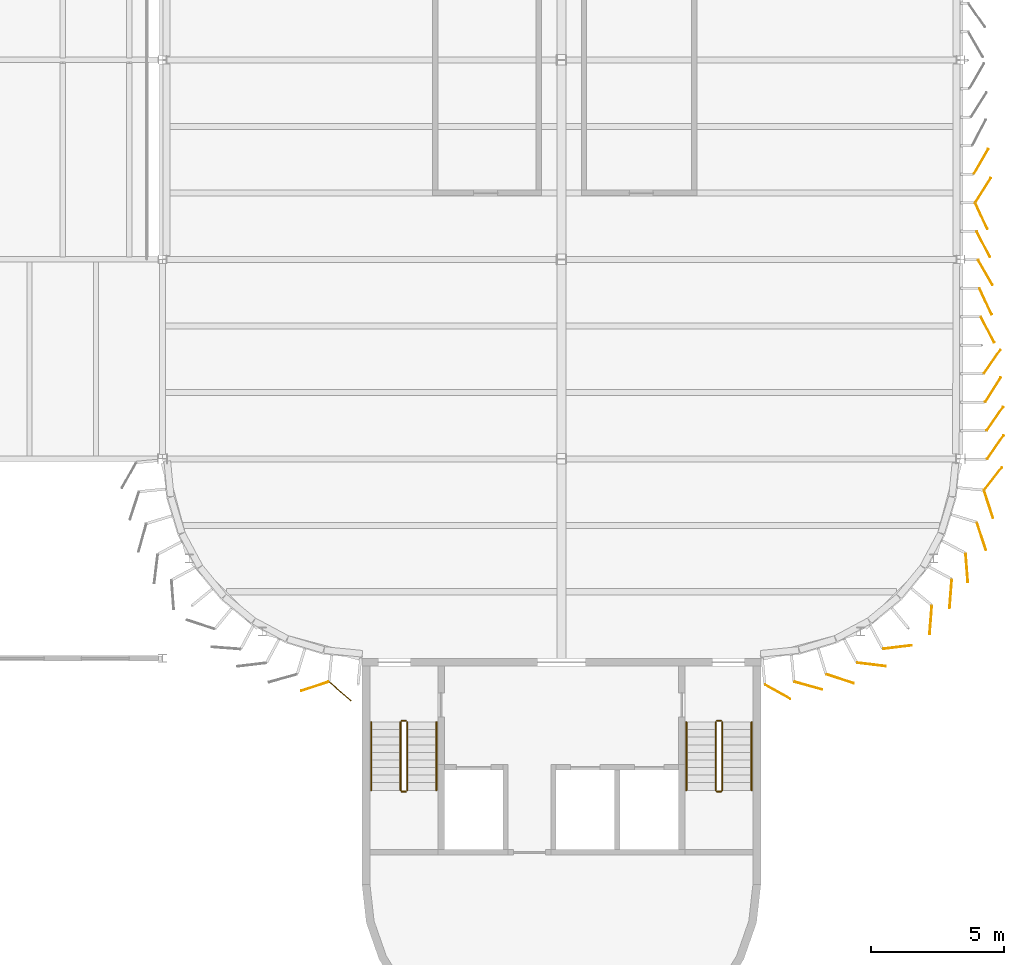
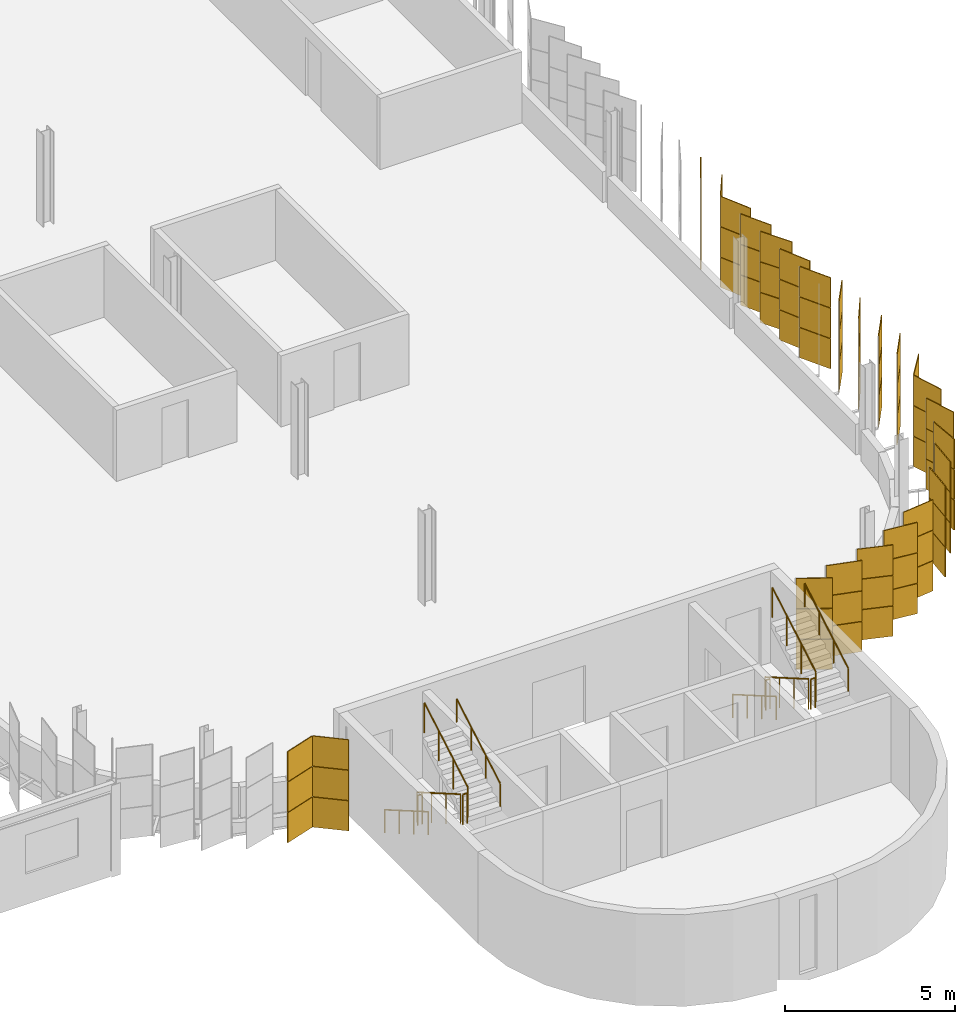
# One storey, part 204 of 214: 72 coverings, 12 railings.
"""IFC4 building model written with IfcOpenShell, lengths in metres."""

from ifc_helpers import new_model, si_unit, direction, frame, origin, origin_2d, place, context, subcontext, project, spatial, rectangle, circle, extrude, material, layer, layer_set, type_object, element, save


model = new_model("IFC4")

# Units and contexts
model_context = context("Model", 3, precision=1e-05, world=origin(), true_north=direction((0.0, 1.0)))
body_context = subcontext(model_context, "Body", "Model", "MODEL_VIEW")
ifc_project = project(units=[si_unit("LENGTHUNIT", "METRE"), si_unit("AREAUNIT", "SQUARE_METRE"), si_unit("VOLUMEUNIT", "CUBIC_METRE"), si_unit("PLANEANGLEUNIT", "RADIAN"), si_unit("MASSUNIT", "GRAM", prefix="KILO")], contexts=[model_context])

# Site, building, storey
site_placement = place(None, origin())
site = spatial("IfcSite", under=ifc_project, at=site_placement, CompositionType="ELEMENT")
building_placement = place(site_placement, origin())
building = spatial("IfcBuilding", under=site, at=building_placement, Name="Parallax Yard Mobility Hub", CompositionType="ELEMENT")
storey_placement = place(building_placement, frame((0.0, 0.0, 3.300048828125)))
storey = spatial("IfcBuildingStorey", under=building, at=storey_placement, Name="L01", CompositionType="ELEMENT", Elevation=3.300048828125)

# Coverings
ifc_material_1 = material(Name="Aluminium panel, light oak finish", Category="aluminium")
ifc_layer_1 = layer(ifc_material_1, 0.030029296875)
ifc_layer_set_1 = layer_set([ifc_layer_1], Name="Skin panel 25 degree turn, oak finish")
covering_type_1 = type_object("IfcCoveringType", Name="Skin panel 25 degree turn, oak finish", PredefinedType="CLADDING", material=ifc_layer_set_1)
for number, where, z_axis, x_axis, name in (
    (1, (225.951171875, 35.91162109375, 1.119873046875), (0.0, 0.0, 1.0), (0.422618261741, -0.906307787037, 0.0), "Skin panel 25 bay 33.6 row 2 level L01"),
    (2, (225.951171875, 35.91162109375, 2.219970703125), (0.0, 0.0, 1.0), (0.422618261741, -0.906307787037, 0.0), "Skin panel 25 bay 33.6 row 3 level L01"),
    (3, (225.79052734375, 39.126953125, 1.119873046875), (0.0, 0.0, 1.0), (0.422618261741, -0.906307787037, 0.0), "Skin panel 25 bay 34.2 row 2 level L01"),
    (4, (225.79052734375, 39.126953125, 2.219970703125), (0.0, 0.0, 1.0), (0.422618261741, -0.906307787037, 0.0), "Skin panel 25 bay 34.2 row 3 level L01"),
):
    element("IfcCovering", number, at=place(storey_placement, frame(where, z_axis=z_axis, x_axis=x_axis)), inside=storey, type_object=covering_type_1, Name=name, ObjectType="SCREEN", PredefinedType="CLADDING", context=body_context, shape_type="SweptSolid", body=[
        extrude(rectangle(XDim=1.080078125, YDim=0.030029296875, at=origin_2d()), origin(), (0.0, 0.0, 1.0), 1.080078125),
    ])
ifc_material_2 = material(Name="Aluminium panel, walnut finish", Category="aluminium")
ifc_layer_2 = layer(ifc_material_2, 0.030029296875)
ifc_layer_set_2 = layer_set([ifc_layer_2], Name="Skin panel 25 degree turn, walnut finish")
covering_type_2 = type_object("IfcCoveringType", Name="Skin panel 25 degree turn, walnut finish", PredefinedType="CLADDING", material=ifc_layer_set_2)
for number, where, z_axis, x_axis, name in (
    (5, (225.951171875, 35.91162109375, 0.02001953125), (0.0, 0.0, 1.0), (0.422618261741, -0.906307787037, 0.0), "Skin panel 25 bay 33.6 row 1 level L01"),
    (6, (225.79052734375, 39.126953125, 0.02001953125), (0.0, 0.0, 1.0), (0.422618261741, -0.906307787037, 0.0), "Skin panel 25 bay 34.2 row 1 level L01"),
):
    element("IfcCovering", number, at=place(storey_placement, frame(where, z_axis=z_axis, x_axis=x_axis)), inside=storey, type_object=covering_type_2, Name=name, ObjectType="SCREEN", PredefinedType="CLADDING", context=body_context, shape_type="SweptSolid", body=[
        extrude(rectangle(XDim=1.080078125, YDim=0.030029296875, at=origin_2d()), origin(), (0.0, 0.0, 1.0), 1.080078125),
    ])
ifc_layer_3 = layer(ifc_material_1, 0.030029296875)
ifc_layer_set_3 = layer_set([ifc_layer_3], Name="Skin panel 27.5 degree turn, oak finish")
covering_type_3 = type_object("IfcCoveringType", Name="Skin panel 27.5 degree turn, oak finish", PredefinedType="CLADDING", material=ifc_layer_set_3)
for number, where, z_axis, x_axis, name in (
    (7, (226.026611328125, 34.8505859375, 1.119873046875), (0.0, 0.0, 1.0), (0.461748613235, -0.887010833178, 0.0), "Skin panel 27.5 bay 33.5 row 2 level L01"),
    (8, (226.026611328125, 34.8505859375, 2.219970703125), (0.0, 0.0, 1.0), (0.461748613235, -0.887010833178, 0.0), "Skin panel 27.5 bay 33.5 row 3 level L01"),
    (9, (225.86572265625, 38.06591796875, 1.119873046875), (0.0, 0.0, 1.0), (0.461748613235, -0.887010833178, 0.0), "Skin panel 27.5 bay 34.1 row 2 level L01"),
    (10, (225.86572265625, 38.06591796875, 2.219970703125), (0.0, 0.0, 1.0), (0.461748613235, -0.887010833178, 0.0), "Skin panel 27.5 bay 34.1 row 3 level L01"),
):
    element("IfcCovering", number, at=place(storey_placement, frame(where, z_axis=z_axis, x_axis=x_axis)), inside=storey, type_object=covering_type_3, Name=name, ObjectType="SCREEN", PredefinedType="CLADDING", context=body_context, shape_type="SweptSolid", body=[
        extrude(rectangle(XDim=1.080078125, YDim=0.030029296875, at=origin_2d()), origin(), (0.0, 0.0, 1.0), 1.080078125),
    ])
ifc_layer_4 = layer(ifc_material_2, 0.030029296875)
ifc_layer_set_4 = layer_set([ifc_layer_4], Name="Skin panel 27.5 degree turn, walnut finish")
covering_type_4 = type_object("IfcCoveringType", Name="Skin panel 27.5 degree turn, walnut finish", PredefinedType="CLADDING", material=ifc_layer_set_4)
for number, where, z_axis, x_axis, name in (
    (11, (226.026611328125, 34.8505859375, 0.02001953125), (0.0, 0.0, 1.0), (0.461748613235, -0.887010833178, 0.0), "Skin panel 27.5 bay 33.5 row 1 level L01"),
    (12, (225.86572265625, 38.06591796875, 0.02001953125), (0.0, 0.0, 1.0), (0.461748613235, -0.887010833178, 0.0), "Skin panel 27.5 bay 34.1 row 1 level L01"),
):
    element("IfcCovering", number, at=place(storey_placement, frame(where, z_axis=z_axis, x_axis=x_axis)), inside=storey, type_object=covering_type_4, Name=name, ObjectType="SCREEN", PredefinedType="CLADDING", context=body_context, shape_type="SweptSolid", body=[
        extrude(rectangle(XDim=1.080078125, YDim=0.030029296875, at=origin_2d()), origin(), (0.0, 0.0, 1.0), 1.080078125),
    ])
ifc_layer_5 = layer(ifc_material_1, 0.030029296875)
ifc_layer_set_5 = layer_set([ifc_layer_5], Name="Skin panel 30 degree turn, oak finish")
covering_type_5 = type_object("IfcCoveringType", Name="Skin panel 30 degree turn, oak finish", PredefinedType="CLADDING", material=ifc_layer_set_5)
for number, where, z_axis, x_axis, name in (
    (13, (225.940673828125, 37.005859375, 1.119873046875), (0.0, 0.0, 1.0), (0.5, -0.866025403784, 0.0), "Skin panel 30 bay 33.7 row 2 level L01"),
    (14, (225.940673828125, 37.005859375, 2.219970703125), (0.0, 0.0, 1.0), (0.5, -0.866025403784, 0.0), "Skin panel 30 bay 33.7 row 3 level L01"),
    (15, (225.77978515625, 41.184814453125, 1.119873046875), (0.0, 0.0, 1.0), (0.5, 0.866025403784, 0.0), "Skin panel 30 bay 34.4 row 2 level L01"),
    (16, (225.77978515625, 41.184814453125, 2.219970703125), (0.0, 0.0, 1.0), (0.5, 0.866025403784, 0.0), "Skin panel 30 bay 34.4 row 3 level L01"),
):
    element("IfcCovering", number, at=place(storey_placement, frame(where, z_axis=z_axis, x_axis=x_axis)), inside=storey, type_object=covering_type_5, Name=name, ObjectType="SCREEN", PredefinedType="CLADDING", context=body_context, shape_type="SweptSolid", body=[
        extrude(rectangle(XDim=1.080078125, YDim=0.030029296875, at=origin_2d()), origin(), (0.0, 0.0, 1.0), 1.080078125),
    ])
ifc_layer_6 = layer(ifc_material_2, 0.030029296875)
ifc_layer_set_6 = layer_set([ifc_layer_6], Name="Skin panel 30 degree turn, walnut finish")
covering_type_6 = type_object("IfcCoveringType", Name="Skin panel 30 degree turn, walnut finish", PredefinedType="CLADDING", material=ifc_layer_set_6)
for number, where, z_axis, x_axis, name in (
    (17, (225.940673828125, 37.005859375, 0.02001953125), (0.0, 0.0, 1.0), (0.5, -0.866025403784, 0.0), "Skin panel 30 bay 33.7 row 1 level L01"),
    (18, (225.77978515625, 41.184814453125, 0.02001953125), (0.0, 0.0, 1.0), (0.5, 0.866025403784, 0.0), "Skin panel 30 bay 34.4 row 1 level L01"),
):
    element("IfcCovering", number, at=place(storey_placement, frame(where, z_axis=z_axis, x_axis=x_axis)), inside=storey, type_object=covering_type_6, Name=name, ObjectType="SCREEN", PredefinedType="CLADDING", context=body_context, shape_type="SweptSolid", body=[
        extrude(rectangle(XDim=1.080078125, YDim=0.030029296875, at=origin_2d()), origin(), (0.0, 0.0, 1.0), 1.080078125),
    ])
ifc_layer_7 = layer(ifc_material_1, 0.030029296875)
ifc_layer_set_7 = layer_set([ifc_layer_7], Name="Skin panel 32.5 degree turn, oak finish")
covering_type_7 = type_object("IfcCoveringType", Name="Skin panel 32.5 degree turn, oak finish", PredefinedType="CLADDING", material=ifc_layer_set_7)
for number, where, z_axis, x_axis, name in (
    (19, (219.28271484375, 21.468017578125, 1.119873046875), (0.0, 0.0, 1.0), (0.963045136708, -0.269340053953, 0.0), "Skin panel 32.5 bay 32.2 row 2 level L01"),
    (20, (219.28271484375, 21.468017578125, 2.219970703125), (0.0, 0.0, 1.0), (0.963045136708, -0.269340053953, 0.0), "Skin panel 32.5 bay 32.2 row 3 level L01"),
    (21, (222.634521484375, 22.918701171875, 1.119873046875), (0.0, 0.0, 1.0), (0.992809667009, 0.119703655305, 0.0), "Skin panel 32.5 bay 32.5 row 2 level L01"),
    (22, (222.634521484375, 22.918701171875, 2.219970703125), (0.0, 0.0, 1.0), (0.992809667009, 0.119703655305, 0.0), "Skin panel 32.5 bay 32.5 row 3 level L01"),
    (23, (225.24169921875, 25.89453125, 1.119873046875), (0.0, 0.0, 1.0), (0.076283974504, -0.997086132304, 0.0), "Skin panel 32.5 bay 32.8 row 2 level L01"),
    (24, (225.24169921875, 25.89453125, 2.219970703125), (0.0, 0.0, 1.0), (0.076283974504, -0.997086132304, 0.0), "Skin panel 32.5 bay 32.8 row 3 level L01"),
    (25, (226.23193359375, 29.25634765625, 1.119873046875), (0.0, 0.0, 1.0), (0.617379181571, 0.786665714369, 0.0), "Skin panel 32.5 bay 32.11 row 2 level L01"),
    (26, (226.23193359375, 29.25634765625, 2.219970703125), (0.0, 0.0, 1.0), (0.617379181571, 0.786665714369, 0.0), "Skin panel 32.5 bay 32.11 row 3 level L01"),
    (27, (226.229248046875, 32.59814453125, 1.119873046875), (0.0, 0.0, 1.0), (0.537299608347, 0.843391445813, 0.0), "Skin panel 32.5 bay 33.3 row 2 level L01"),
    (28, (226.229248046875, 32.59814453125, 2.219970703125), (0.0, 0.0, 1.0), (0.537299608347, 0.843391445813, 0.0), "Skin panel 32.5 bay 33.3 row 3 level L01"),
    (29, (225.854248046875, 40.100341796875, 1.119873046875), (0.0, 0.0, 1.0), (0.537299608347, 0.843391445813, 0.0), "Skin panel 32.5 bay 34.3 row 2 level L01"),
    (30, (225.854248046875, 40.100341796875, 2.219970703125), (0.0, 0.0, 1.0), (0.537299608347, 0.843391445813, 0.0), "Skin panel 32.5 bay 34.3 row 3 level L01"),
):
    element("IfcCovering", number, at=place(storey_placement, frame(where, z_axis=z_axis, x_axis=x_axis)), inside=storey, type_object=covering_type_7, Name=name, ObjectType="SCREEN", PredefinedType="CLADDING", context=body_context, shape_type="SweptSolid", body=[
        extrude(rectangle(XDim=1.080078125, YDim=0.030029296875, at=origin_2d()), origin(), (0.0, 0.0, 1.0), 1.080078125),
    ])
ifc_layer_8 = layer(ifc_material_2, 0.030029296875)
ifc_layer_set_8 = layer_set([ifc_layer_8], Name="Skin panel 32.5 degree turn, walnut finish")
covering_type_8 = type_object("IfcCoveringType", Name="Skin panel 32.5 degree turn, walnut finish", PredefinedType="CLADDING", material=ifc_layer_set_8)
for number, where, z_axis, x_axis, name in (
    (31, (219.28271484375, 21.468017578125, 0.02001953125), (0.0, 0.0, 1.0), (0.963045136708, -0.269340053953, 0.0), "Skin panel 32.5 bay 32.2 row 1 level L01"),
    (32, (222.634521484375, 22.918701171875, 0.02001953125), (0.0, 0.0, 1.0), (0.992809667009, 0.119703655305, 0.0), "Skin panel 32.5 bay 32.5 row 1 level L01"),
    (33, (225.24169921875, 25.89453125, 0.02001953125), (0.0, 0.0, 1.0), (0.076283974504, -0.997086132304, 0.0), "Skin panel 32.5 bay 32.8 row 1 level L01"),
    (34, (226.23193359375, 29.25634765625, 0.02001953125), (0.0, 0.0, 1.0), (0.617379181571, 0.786665714369, 0.0), "Skin panel 32.5 bay 32.11 row 1 level L01"),
    (35, (226.229248046875, 32.59814453125, 0.02001953125), (0.0, 0.0, 1.0), (0.537299608347, 0.843391445813, 0.0), "Skin panel 32.5 bay 33.3 row 1 level L01"),
    (36, (225.854248046875, 40.100341796875, 0.02001953125), (0.0, 0.0, 1.0), (0.537299608347, 0.843391445813, 0.0), "Skin panel 32.5 bay 34.3 row 1 level L01"),
):
    element("IfcCovering", number, at=place(storey_placement, frame(where, z_axis=z_axis, x_axis=x_axis)), inside=storey, type_object=covering_type_8, Name=name, ObjectType="SCREEN", PredefinedType="CLADDING", context=body_context, shape_type="SweptSolid", body=[
        extrude(rectangle(XDim=1.080078125, YDim=0.030029296875, at=origin_2d()), origin(), (0.0, 0.0, 1.0), 1.080078125),
    ])
ifc_layer_9 = layer(ifc_material_1, 0.030029296875)
ifc_layer_set_9 = layer_set([ifc_layer_9], Name="Skin panel 35 degree turn, oak finish")
covering_type_9 = type_object("IfcCoveringType", Name="Skin panel 35 degree turn, oak finish", PredefinedType="CLADDING", material=ifc_layer_set_9)
for number, where, z_axis, x_axis, name in (
    (37, (200.73046875, 21.4443359375, 1.119873046875), (0.0, 0.0, 1.0), (-0.950380082985, -0.311091140771, 0.0), "Skin panel 35 bay 30.10 row 2 level L01"),
    (38, (200.73046875, 21.4443359375, 2.219970703125), (0.0, 0.0, 1.0), (-0.950380082985, -0.311091140771, 0.0), "Skin panel 35 bay 30.10 row 3 level L01"),
    (39, (201.681396484375, 21.255126953125, 1.119873046875), (0.0, 0.0, 1.0), (0.758987281247, -0.651105449912, 0.0), "Skin panel 35 bay 30.11 row 2 level L01"),
    (40, (201.681396484375, 21.255126953125, 2.219970703125), (0.0, 0.0, 1.0), (0.758987281247, -0.651105449912, 0.0), "Skin panel 35 bay 30.11 row 3 level L01"),
    (41, (218.13330078125, 21.23681640625, 1.119873046875), (0.0, 0.0, 1.0), (0.87142792535, -0.490523568159, 0.0), "Skin panel 35 bay 32.1 row 2 level L01"),
    (42, (218.13330078125, 21.23681640625, 2.219970703125), (0.0, 0.0, 1.0), (0.87142792535, -0.490523568159, 0.0), "Skin panel 35 bay 32.1 row 3 level L01"),
    (43, (220.4794921875, 21.7255859375, 1.119873046875), (0.0, 0.0, 1.0), (0.950380082985, -0.311091140771, 0.0), "Skin panel 35 bay 32.3 row 2 level L01"),
    (44, (220.4794921875, 21.7255859375, 2.219970703125), (0.0, 0.0, 1.0), (0.950380082985, -0.311091140771, 0.0), "Skin panel 35 bay 32.3 row 3 level L01"),
    (45, (221.6611328125, 22.26513671875, 1.119873046875), (0.0, 0.0, 1.0), (0.992809667009, -0.119703655305, 0.0), "Skin panel 35 bay 32.4 row 2 level L01"),
    (46, (221.6611328125, 22.26513671875, 2.219970703125), (0.0, 0.0, 1.0), (0.992809667009, -0.119703655305, 0.0), "Skin panel 35 bay 32.4 row 3 level L01"),
    (47, (223.885986328125, 23.936767578125, 1.119873046875), (0.0, 0.0, 1.0), (-0.076283974504, -0.997086132304, 0.0), "Skin panel 35 bay 32.6 row 2 level L01"),
    (48, (223.885986328125, 23.936767578125, 2.219970703125), (0.0, 0.0, 1.0), (-0.076283974504, -0.997086132304, 0.0), "Skin panel 35 bay 32.6 row 3 level L01"),
    (49, (224.636474609375, 24.92138671875, 1.119873046875), (0.0, 0.0, 1.0), (-0.076283974504, -0.997086132304, 0.0), "Skin panel 35 bay 32.7 row 2 level L01"),
    (50, (224.636474609375, 24.92138671875, 2.219970703125), (0.0, 0.0, 1.0), (-0.076283974504, -0.997086132304, 0.0), "Skin panel 35 bay 32.7 row 3 level L01"),
    (51, (225.79345703125, 27.08349609375, 1.119873046875), (0.0, 0.0, 1.0), (0.311091140771, -0.950380082985, 0.0), "Skin panel 35 bay 32.9 row 2 level L01"),
    (52, (225.79345703125, 27.08349609375, 2.219970703125), (0.0, 0.0, 1.0), (0.311091140771, -0.950380082985, 0.0), "Skin panel 35 bay 32.9 row 3 level L01"),
    (53, (226.0615234375, 28.289794921875, 1.119873046875), (0.0, 0.0, 1.0), (0.311091140771, -0.950380082985, 0.0), "Skin panel 35 bay 32.10 row 2 level L01"),
    (54, (226.0615234375, 28.289794921875, 2.219970703125), (0.0, 0.0, 1.0), (0.311091140771, -0.950380082985, 0.0), "Skin panel 35 bay 32.10 row 3 level L01"),
    (55, (226.319091796875, 30.44140625, 1.119873046875), (0.0, 0.0, 1.0), (0.573576436351, 0.819152044289, 0.0), "Skin panel 35 bay 33.1 row 2 level L01"),
    (56, (226.319091796875, 30.44140625, 2.219970703125), (0.0, 0.0, 1.0), (0.573576436351, 0.819152044289, 0.0), "Skin panel 35 bay 33.1 row 3 level L01"),
    (57, (226.302978515625, 31.512939453125, 1.119873046875), (0.0, 0.0, 1.0), (0.573576436351, 0.819152044289, 0.0), "Skin panel 35 bay 33.2 row 2 level L01"),
    (58, (226.302978515625, 31.512939453125, 2.219970703125), (0.0, 0.0, 1.0), (0.573576436351, 0.819152044289, 0.0), "Skin panel 35 bay 33.2 row 3 level L01"),
    (59, (226.19580078125, 33.656494140625, 1.119873046875), (0.0, 0.0, 1.0), (0.573576436351, 0.819152044289, 0.0), "Skin panel 35 bay 33.4 row 2 level L01"),
    (60, (226.19580078125, 33.656494140625, 2.219970703125), (0.0, 0.0, 1.0), (0.573576436351, 0.819152044289, 0.0), "Skin panel 35 bay 33.4 row 3 level L01"),
):
    element("IfcCovering", number, at=place(storey_placement, frame(where, z_axis=z_axis, x_axis=x_axis)), inside=storey, type_object=covering_type_9, Name=name, ObjectType="SCREEN", PredefinedType="CLADDING", context=body_context, shape_type="SweptSolid", body=[
        extrude(rectangle(XDim=1.080078125, YDim=0.030029296875, at=origin_2d()), origin(), (0.0, 0.0, 1.0), 1.080078125),
    ])
ifc_layer_10 = layer(ifc_material_2, 0.030029296875)
ifc_layer_set_10 = layer_set([ifc_layer_10], Name="Skin panel 35 degree turn, walnut finish")
covering_type_10 = type_object("IfcCoveringType", Name="Skin panel 35 degree turn, walnut finish", PredefinedType="CLADDING", material=ifc_layer_set_10)
for number, where, z_axis, x_axis, name in (
    (61, (200.73046875, 21.4443359375, 0.02001953125), (0.0, 0.0, 1.0), (-0.950380082985, -0.311091140771, 0.0), "Skin panel 35 bay 30.10 row 1 level L01"),
    (62, (201.681396484375, 21.255126953125, 0.02001953125), (0.0, 0.0, 1.0), (0.758987281247, -0.651105449912, 0.0), "Skin panel 35 bay 30.11 row 1 level L01"),
    (63, (218.13330078125, 21.23681640625, 0.02001953125), (0.0, 0.0, 1.0), (0.87142792535, -0.490523568159, 0.0), "Skin panel 35 bay 32.1 row 1 level L01"),
    (64, (220.4794921875, 21.7255859375, 0.02001953125), (0.0, 0.0, 1.0), (0.950380082985, -0.311091140771, 0.0), "Skin panel 35 bay 32.3 row 1 level L01"),
    (65, (221.6611328125, 22.26513671875, 0.02001953125), (0.0, 0.0, 1.0), (0.992809667009, -0.119703655305, 0.0), "Skin panel 35 bay 32.4 row 1 level L01"),
    (66, (223.885986328125, 23.936767578125, 0.02001953125), (0.0, 0.0, 1.0), (-0.076283974504, -0.997086132304, 0.0), "Skin panel 35 bay 32.6 row 1 level L01"),
    (67, (224.636474609375, 24.92138671875, 0.02001953125), (0.0, 0.0, 1.0), (-0.076283974504, -0.997086132304, 0.0), "Skin panel 35 bay 32.7 row 1 level L01"),
    (68, (225.79345703125, 27.08349609375, 0.02001953125), (0.0, 0.0, 1.0), (0.311091140771, -0.950380082985, 0.0), "Skin panel 35 bay 32.9 row 1 level L01"),
    (69, (226.0615234375, 28.289794921875, 0.02001953125), (0.0, 0.0, 1.0), (0.311091140771, -0.950380082985, 0.0), "Skin panel 35 bay 32.10 row 1 level L01"),
    (70, (226.319091796875, 30.44140625, 0.02001953125), (0.0, 0.0, 1.0), (0.573576436351, 0.819152044289, 0.0), "Skin panel 35 bay 33.1 row 1 level L01"),
    (71, (226.302978515625, 31.512939453125, 0.02001953125), (0.0, 0.0, 1.0), (0.573576436351, 0.819152044289, 0.0), "Skin panel 35 bay 33.2 row 1 level L01"),
    (72, (226.19580078125, 33.656494140625, 0.02001953125), (0.0, 0.0, 1.0), (0.573576436351, 0.819152044289, 0.0), "Skin panel 35 bay 33.4 row 1 level L01"),
):
    element("IfcCovering", number, at=place(storey_placement, frame(where, z_axis=z_axis, x_axis=x_axis)), inside=storey, type_object=covering_type_10, Name=name, ObjectType="SCREEN", PredefinedType="CLADDING", context=body_context, shape_type="SweptSolid", body=[
        extrude(rectangle(XDim=1.080078125, YDim=0.030029296875, at=origin_2d()), origin(), (0.0, 0.0, 1.0), 1.080078125),
    ])

# Railings
ifc_material_3 = material(Name="Steel ASTM A36", Category="steel")
railing_type_1 = type_object("IfcRailingType", Name="Stair guard 1100", PredefinedType="GUARDRAIL", material=ifc_material_3)
railing_1_placement = place(storey_placement, frame((215.800048828125, 20.10009765625, 0.1650390625)))
element("IfcRailing", 73, at=railing_1_placement, inside=storey, type_object=railing_type_1, Name="L01 ST9 stair guard 1", PredefinedType="GUARDRAIL", context=body_context, shape_type="SweptSolid", body=[
    extrude(circle(Radius=0.02392578125, at=origin_2d()), frame((0.0, 0.0, 1.076171875), z_axis=(0.0, -0.865461999751, 0.500974577186), x_axis=(1.0, 0.0, 0.0)), (0.0, 0.0, 1.0), 2.9638671875),
    extrude(circle(Radius=0.02099609375, at=origin_2d()), origin(), (0.0, 0.0, 1.0), 1.052001953125),
    extrude(circle(Radius=0.02099609375, at=origin_2d()), frame((0.0, -0.85498046875, 0.494873046875)), (0.0, 0.0, 1.0), 1.052001953125),
    extrude(circle(Radius=0.02099609375, at=origin_2d()), frame((0.0, -1.710205078125, 0.989990234375)), (0.0, 0.0, 1.0), 1.052001953125),
    extrude(circle(Radius=0.02099609375, at=origin_2d()), frame((0.0, -2.565185546875, 1.48486328125)), (0.0, 0.0, 1.0), 1.052001953125),
])
railing_2_placement = place(storey_placement, frame((215.85009765625, 17.485107421875, 1.64990234375)))
element("IfcRailing", 74, at=railing_2_placement, inside=storey, type_object=railing_type_1, Name="L01 ST9 stair guard 2", PredefinedType="GUARDRAIL", context=body_context, shape_type="SweptSolid", body=[
    extrude(circle(Radius=0.02392578125, at=origin_2d()), frame((0.0, 0.0, 1.076171875), z_axis=(1.0, 0.0, 0.0), x_axis=(0.0, 1.0, 0.0)), (0.0, 0.0, 1.0), 0.14990234375),
    extrude(circle(Radius=0.02099609375, at=origin_2d()), origin(), (0.0, 0.0, 1.0), 1.052001953125),
    extrude(circle(Radius=0.02099609375, at=origin_2d()), frame((0.14990234375, 0.0, 0.0)), (0.0, 0.0, 1.0), 1.052001953125),
])
railing_3_placement = place(storey_placement, frame((216.050048828125, 17.534912109375, 1.81494140625)))
element("IfcRailing", 75, at=railing_3_placement, inside=storey, type_object=railing_type_1, Name="L01 ST9 stair guard 3", PredefinedType="GUARDRAIL", context=body_context, shape_type="SweptSolid", body=[
    extrude(circle(Radius=0.02392578125, at=origin_2d()), frame((0.0, 0.0, 1.076171875), z_axis=(0.0, 0.865426285481, 0.501036270542), x_axis=(-1.0, 0.0, 0.0)), (0.0, 0.0, 1.0), 2.964111328125),
    extrude(circle(Radius=0.02099609375, at=origin_2d()), origin(), (0.0, 0.0, 1.0), 1.052001953125),
    extrude(circle(Radius=0.02099609375, at=origin_2d()), frame((0.0, 0.85498046875, 0.4951171875)), (0.0, 0.0, 1.0), 1.052001953125),
    extrude(circle(Radius=0.02099609375, at=origin_2d()), frame((0.0, 1.710205078125, 0.989990234375)), (0.0, 0.0, 1.0), 1.052001953125),
    extrude(circle(Radius=0.02099609375, at=origin_2d()), frame((0.0, 2.565185546875, 1.485107421875)), (0.0, 0.0, 1.0), 1.052001953125),
])
railing_4_placement = place(storey_placement, frame((215.85009765625, 20.14990234375, 0.0)))
element("IfcRailing", 76, at=railing_4_placement, inside=storey, type_object=railing_type_1, Name="L01 ST9 stair guard 4", PredefinedType="GUARDRAIL", context=body_context, shape_type="SweptSolid", body=[
    extrude(circle(Radius=0.02392578125, at=origin_2d()), frame((0.0, 0.0, 1.076171875), z_axis=(1.0, 0.0, 0.0), x_axis=(0.0, 1.0, 0.0)), (0.0, 0.0, 1.0), 0.14990234375),
    extrude(circle(Radius=0.02099609375, at=origin_2d()), origin(), (0.0, 0.0, 1.0), 1.052001953125),
    extrude(circle(Radius=0.02099609375, at=origin_2d()), frame((0.14990234375, 0.0, 0.0)), (0.0, 0.0, 1.0), 1.052001953125),
])
railing_5_placement = place(storey_placement, frame((203.949951171875, 20.10009765625, 0.1650390625)))
element("IfcRailing", 77, at=railing_5_placement, inside=storey, type_object=railing_type_1, Name="L01 ST10 stair guard 1", PredefinedType="GUARDRAIL", context=body_context, shape_type="SweptSolid", body=[
    extrude(circle(Radius=0.02392578125, at=origin_2d()), frame((0.0, 0.0, 1.076171875), z_axis=(0.0, -0.865461999751, 0.500974577186), x_axis=(1.0, 0.0, 0.0)), (0.0, 0.0, 1.0), 2.9638671875),
    extrude(circle(Radius=0.02099609375, at=origin_2d()), origin(), (0.0, 0.0, 1.0), 1.052001953125),
    extrude(circle(Radius=0.02099609375, at=origin_2d()), frame((0.0, -0.85498046875, 0.494873046875)), (0.0, 0.0, 1.0), 1.052001953125),
    extrude(circle(Radius=0.02099609375, at=origin_2d()), frame((0.0, -1.710205078125, 0.989990234375)), (0.0, 0.0, 1.0), 1.052001953125),
    extrude(circle(Radius=0.02099609375, at=origin_2d()), frame((0.0, -2.565185546875, 1.48486328125)), (0.0, 0.0, 1.0), 1.052001953125),
])
railing_6_placement = place(storey_placement, frame((204.0, 17.485107421875, 1.64990234375)))
element("IfcRailing", 78, at=railing_6_placement, inside=storey, type_object=railing_type_1, Name="L01 ST10 stair guard 2", PredefinedType="GUARDRAIL", context=body_context, shape_type="SweptSolid", body=[
    extrude(circle(Radius=0.02392578125, at=origin_2d()), frame((0.0, 0.0, 1.076171875), z_axis=(1.0, 0.0, 0.0), x_axis=(0.0, 1.0, 0.0)), (0.0, 0.0, 1.0), 0.14990234375),
    extrude(circle(Radius=0.02099609375, at=origin_2d()), origin(), (0.0, 0.0, 1.0), 1.052001953125),
    extrude(circle(Radius=0.02099609375, at=origin_2d()), frame((0.14990234375, 0.0, 0.0)), (0.0, 0.0, 1.0), 1.052001953125),
])
railing_7_placement = place(storey_placement, frame((204.199951171875, 17.534912109375, 1.81494140625)))
element("IfcRailing", 79, at=railing_7_placement, inside=storey, type_object=railing_type_1, Name="L01 ST10 stair guard 3", PredefinedType="GUARDRAIL", context=body_context, shape_type="SweptSolid", body=[
    extrude(circle(Radius=0.02392578125, at=origin_2d()), frame((0.0, 0.0, 1.076171875), z_axis=(0.0, 0.865426285481, 0.501036270542), x_axis=(-1.0, 0.0, 0.0)), (0.0, 0.0, 1.0), 2.964111328125),
    extrude(circle(Radius=0.02099609375, at=origin_2d()), origin(), (0.0, 0.0, 1.0), 1.052001953125),
    extrude(circle(Radius=0.02099609375, at=origin_2d()), frame((0.0, 0.85498046875, 0.4951171875)), (0.0, 0.0, 1.0), 1.052001953125),
    extrude(circle(Radius=0.02099609375, at=origin_2d()), frame((0.0, 1.710205078125, 0.989990234375)), (0.0, 0.0, 1.0), 1.052001953125),
    extrude(circle(Radius=0.02099609375, at=origin_2d()), frame((0.0, 2.565185546875, 1.485107421875)), (0.0, 0.0, 1.0), 1.052001953125),
])
railing_8_placement = place(storey_placement, frame((204.0, 20.14990234375, 0.0)))
element("IfcRailing", 80, at=railing_8_placement, inside=storey, type_object=railing_type_1, Name="L01 ST10 stair guard 4", PredefinedType="GUARDRAIL", context=body_context, shape_type="SweptSolid", body=[
    extrude(circle(Radius=0.02392578125, at=origin_2d()), frame((0.0, 0.0, 1.076171875), z_axis=(1.0, 0.0, 0.0), x_axis=(0.0, 1.0, 0.0)), (0.0, 0.0, 1.0), 0.14990234375),
    extrude(circle(Radius=0.02099609375, at=origin_2d()), origin(), (0.0, 0.0, 1.0), 1.052001953125),
    extrude(circle(Radius=0.02099609375, at=origin_2d()), frame((0.14990234375, 0.0, 0.0)), (0.0, 0.0, 1.0), 1.052001953125),
])
railing_type_2 = type_object("IfcRailingType", Name="Stair handrail", PredefinedType="HANDRAIL", material=ifc_material_3)
railing_9_placement = place(storey_placement, frame((214.699951171875, 20.10009765625, 0.1650390625)))
element("IfcRailing", 81, at=railing_9_placement, inside=storey, type_object=railing_type_2, Name="L01 ST9 stair handrail 1", PredefinedType="HANDRAIL", context=body_context, shape_type="SweptSolid", body=[
    extrude(circle(Radius=0.02392578125, at=origin_2d()), frame((0.0, 0.0, 0.8310546875), z_axis=(0.0, -0.865461999751, 0.500974577186), x_axis=(1.0, 0.0, 0.0)), (0.0, 0.0, 1.0), 2.9638671875),
    extrude(circle(Radius=0.02099609375, at=origin_2d()), origin(), (0.0, 0.0, 1.0), 0.806884765625),
    extrude(circle(Radius=0.02099609375, at=origin_2d()), frame((0.0, -0.85498046875, 0.494873046875)), (0.0, 0.0, 1.0), 0.806884765625),
    extrude(circle(Radius=0.02099609375, at=origin_2d()), frame((0.0, -1.710205078125, 0.989990234375)), (0.0, 0.0, 1.0), 0.806884765625),
    extrude(circle(Radius=0.02099609375, at=origin_2d()), frame((0.0, -2.565185546875, 1.48486328125)), (0.0, 0.0, 1.0), 0.806884765625),
])
railing_10_placement = place(storey_placement, frame((217.14990234375, 17.534912109375, 1.81494140625)))
element("IfcRailing", 82, at=railing_10_placement, inside=storey, type_object=railing_type_2, Name="L01 ST9 stair handrail 2", PredefinedType="HANDRAIL", context=body_context, shape_type="SweptSolid", body=[
    extrude(circle(Radius=0.02392578125, at=origin_2d()), frame((0.0, 0.0, 0.8310546875), z_axis=(0.0, 0.865426285481, 0.501036270542), x_axis=(-1.0, 0.0, 0.0)), (0.0, 0.0, 1.0), 2.964111328125),
    extrude(circle(Radius=0.02099609375, at=origin_2d()), origin(), (0.0, 0.0, 1.0), 0.806884765625),
    extrude(circle(Radius=0.02099609375, at=origin_2d()), frame((0.0, 0.85498046875, 0.4951171875)), (0.0, 0.0, 1.0), 0.806884765625),
    extrude(circle(Radius=0.02099609375, at=origin_2d()), frame((0.0, 1.710205078125, 0.989990234375)), (0.0, 0.0, 1.0), 0.806884765625),
    extrude(circle(Radius=0.02099609375, at=origin_2d()), frame((0.0, 2.565185546875, 1.485107421875)), (0.0, 0.0, 1.0), 0.806884765625),
])
railing_11_placement = place(storey_placement, frame((202.85009765625, 20.10009765625, 0.1650390625)))
element("IfcRailing", 83, at=railing_11_placement, inside=storey, type_object=railing_type_2, Name="L01 ST10 stair handrail 1", PredefinedType="HANDRAIL", context=body_context, shape_type="SweptSolid", body=[
    extrude(circle(Radius=0.02392578125, at=origin_2d()), frame((0.0, 0.0, 0.8310546875), z_axis=(0.0, -0.865461999751, 0.500974577186), x_axis=(1.0, 0.0, 0.0)), (0.0, 0.0, 1.0), 2.9638671875),
    extrude(circle(Radius=0.02099609375, at=origin_2d()), origin(), (0.0, 0.0, 1.0), 0.806884765625),
    extrude(circle(Radius=0.02099609375, at=origin_2d()), frame((0.0, -0.85498046875, 0.494873046875)), (0.0, 0.0, 1.0), 0.806884765625),
    extrude(circle(Radius=0.02099609375, at=origin_2d()), frame((0.0, -1.710205078125, 0.989990234375)), (0.0, 0.0, 1.0), 0.806884765625),
    extrude(circle(Radius=0.02099609375, at=origin_2d()), frame((0.0, -2.565185546875, 1.48486328125)), (0.0, 0.0, 1.0), 0.806884765625),
])
railing_12_placement = place(storey_placement, frame((205.300048828125, 17.534912109375, 1.81494140625)))
element("IfcRailing", 84, at=railing_12_placement, inside=storey, type_object=railing_type_2, Name="L01 ST10 stair handrail 2", PredefinedType="HANDRAIL", context=body_context, shape_type="SweptSolid", body=[
    extrude(circle(Radius=0.02392578125, at=origin_2d()), frame((0.0, 0.0, 0.8310546875), z_axis=(0.0, 0.865426285481, 0.501036270542), x_axis=(-1.0, 0.0, 0.0)), (0.0, 0.0, 1.0), 2.964111328125),
    extrude(circle(Radius=0.02099609375, at=origin_2d()), origin(), (0.0, 0.0, 1.0), 0.806884765625),
    extrude(circle(Radius=0.02099609375, at=origin_2d()), frame((0.0, 0.85498046875, 0.4951171875)), (0.0, 0.0, 1.0), 0.806884765625),
    extrude(circle(Radius=0.02099609375, at=origin_2d()), frame((0.0, 1.710205078125, 0.989990234375)), (0.0, 0.0, 1.0), 0.806884765625),
    extrude(circle(Radius=0.02099609375, at=origin_2d()), frame((0.0, 2.565185546875, 1.485107421875)), (0.0, 0.0, 1.0), 0.806884765625),
])

save(model, "model.ifc")
